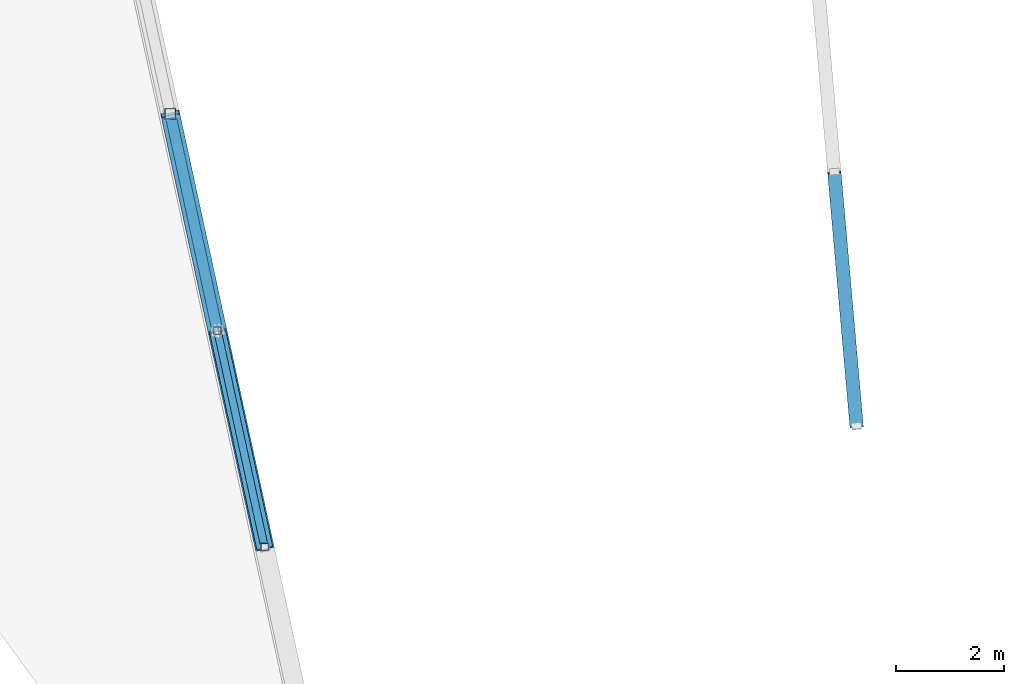
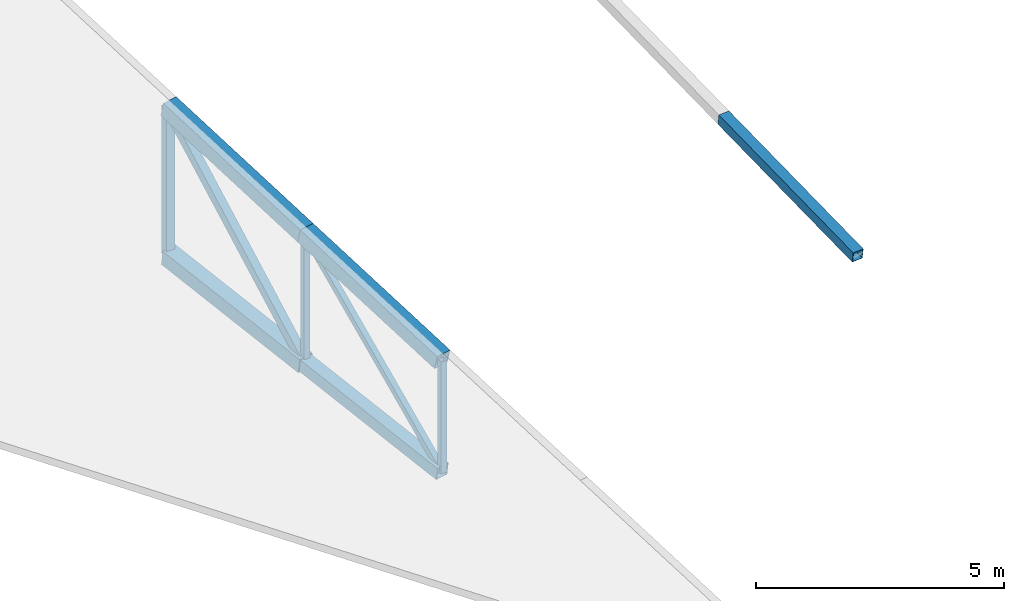
# One storey, part 72 of 188: 10 members.
"""IFC4 building model written with IfcOpenShell, lengths in metres."""

from ifc_helpers import new_model, si_unit, direction, frame, origin, origin_2d, place, context, subcontext, project, spatial, hollow_rectangle, extrude, material, material_profile, profile_set, type_object, element, save


model = new_model("IFC4")

# Units and contexts
model_context = context("Model", 3, precision=1e-05, world=origin(), true_north=direction((0.0, 1.0)))
body_context = subcontext(model_context, "Body", "Model", "MODEL_VIEW")
ifc_project = project(units=[si_unit("LENGTHUNIT", "METRE"), si_unit("AREAUNIT", "SQUARE_METRE"), si_unit("VOLUMEUNIT", "CUBIC_METRE"), si_unit("PLANEANGLEUNIT", "RADIAN"), si_unit("MASSUNIT", "GRAM", prefix="KILO")], contexts=[model_context])

# Site, building, storey
site_placement = place(None, origin())
site = spatial("IfcSite", under=ifc_project, at=site_placement, CompositionType="ELEMENT")
building_placement = place(site_placement, origin())
building = spatial("IfcBuilding", under=site, at=building_placement, Name="Meseta Stadium", CompositionType="ELEMENT")
storey_placement = place(building_placement, frame((0.0, 0.0, 30.0)))
storey = spatial("IfcBuildingStorey", under=building, at=storey_placement, Name="ROOF", CompositionType="ELEMENT", Elevation=30.0)

# Members
ifc_material_1 = material(Name="Steel S355", Category="steel")
ifc_material_profile_1 = material_profile(ifc_material_1, hollow_rectangle(XDim=0.139892578125, YDim=0.139892578125, WallThickness=0.0048828125, at=origin_2d()), Name="SHS 140x140x5")
ifc_profile_set_1 = profile_set([ifc_material_profile_1], Name="Steel S355")
member_type_1 = type_object("IfcMemberType", Name="SHS 140x140x5 diagonal", PredefinedType="BRACE", material=ifc_profile_set_1)
member_1_placement = place(storey_placement, frame((-17.008544921875, 77.870361328125, 0.917724609375), z_axis=(-0.157118081499, 0.721838076326, 0.673990875333), x_axis=(-0.97712104234, -0.212683964174, 0.0)))
element("IfcMember", 1, at=member_1_placement, inside=storey, type_object=member_type_1, Name="ROOF TRUSS RT-20 diagonal", PredefinedType="BRACE", context=body_context, shape_type="SweptSolid", body=[
    extrude(hollow_rectangle(XDim=0.139892578125, YDim=0.139892578125, WallThickness=0.0048828125, at=origin_2d()), origin(), (0.0, 0.0, 1.0), 5.556640625),
])
ifc_material_2 = material(Name="Steel S355", Category="steel")
ifc_material_profile_2 = material_profile(ifc_material_2, hollow_rectangle(XDim=0.139892578125, YDim=0.139892578125, WallThickness=0.0048828125, at=origin_2d()), Name="SHS 140x140x5")
ifc_profile_set_2 = profile_set([ifc_material_profile_2], Name="Steel S355")
member_type_2 = type_object("IfcMemberType", Name="SHS 140x140x5 post", PredefinedType="POST", material=ifc_profile_set_2)
member_2_placement = place(storey_placement, frame((-17.008544921875, 77.870361328125, 0.917724609375), z_axis=(0.0, 0.0, 1.0), x_axis=(1.0, 0.0, 0.0)))
element("IfcMember", 2, at=member_2_placement, inside=storey, type_object=member_type_2, Name="ROOF TRUSS RT-20 post", PredefinedType="POST", context=body_context, shape_type="SweptSolid", body=[
    extrude(hollow_rectangle(XDim=0.139892578125, YDim=0.139892578125, WallThickness=0.0048828125, at=origin_2d()), origin(), (0.0, 0.0, 1.0), 2.752685546875),
])
member_3_placement = place(storey_placement, frame((-17.881591796875, 81.88134765625, 1.45947265625), z_axis=(0.0, 0.0, 1.0), x_axis=(1.0, 0.0, 0.0)))
element("IfcMember", 3, at=member_3_placement, inside=storey, type_object=member_type_2, Name="ROOF TRUSS RT-20 post", PredefinedType="POST", context=body_context, shape_type="SweptSolid", body=[
    extrude(hollow_rectangle(XDim=0.139892578125, YDim=0.139892578125, WallThickness=0.0048828125, at=origin_2d()), origin(), (0.0, 0.0, 1.0), 3.203369140625),
])
ifc_material_3 = material(Name="Steel S355", Category="steel")
ifc_material_profile_3 = material_profile(ifc_material_3, hollow_rectangle(XDim=0.199951171875, YDim=0.199951171875, WallThickness=0.008056640625, at=origin_2d()), Name="SHS 200x200x8")
ifc_profile_set_3 = profile_set([ifc_material_profile_3], Name="Steel S355")
member_type_3 = type_object("IfcMemberType", Name="SHS 200x200x8 diagonal", PredefinedType="BRACE", material=ifc_profile_set_3)
member_4_placement = place(storey_placement, frame((-17.881591796875, 81.88134765625, 1.45947265625), z_axis=(-0.148730248613, 0.683343955454, 0.714786927477), x_axis=(-0.977123732443, -0.212671604821, 0.0)))
element("IfcMember", 4, at=member_4_placement, inside=storey, type_object=member_type_3, Name="ROOF TRUSS RT-20 diagonal", PredefinedType="BRACE", context=body_context, shape_type="SweptSolid", body=[
    extrude(hollow_rectangle(XDim=0.199951171875, YDim=0.199951171875, WallThickness=0.008056640625, at=origin_2d()), origin(), (0.0, 0.0, 1.0), 5.8701171875),
])
ifc_material_4 = material(Name="Steel S355", Category="steel")
ifc_material_profile_4 = material_profile(ifc_material_4, hollow_rectangle(XDim=0.199951171875, YDim=0.199951171875, WallThickness=0.008056640625, at=origin_2d()), Name="SHS 200x200x8")
ifc_profile_set_4 = profile_set([ifc_material_profile_4], Name="Steel S355")
member_type_4 = type_object("IfcMemberType", Name="SHS 200x200x8 post", PredefinedType="POST", material=ifc_profile_set_4)
member_5_placement = place(storey_placement, frame((-18.754638671875, 85.892578125, 2.0009765625), z_axis=(0.0, 0.0, 1.0), x_axis=(1.0, 0.0, 0.0)))
element("IfcMember", 5, at=member_5_placement, inside=storey, type_object=member_type_4, Name="ROOF TRUSS RT-20 post", PredefinedType="POST", context=body_context, shape_type="SweptSolid", body=[
    extrude(hollow_rectangle(XDim=0.199951171875, YDim=0.199951171875, WallThickness=0.008056640625, at=origin_2d()), origin(), (0.0, 0.0, 1.0), 3.654296875),
])
ifc_material_5 = material(Name="Steel S355", Category="steel")
ifc_material_profile_5 = material_profile(ifc_material_5, hollow_rectangle(XDim=0.25, YDim=0.25, WallThickness=0.010009765625, at=origin_2d()), Name="SHS 250x250x10")
ifc_profile_set_5 = profile_set([ifc_material_profile_5], Name="Steel S355")
member_type_5 = type_object("IfcMemberType", Name="SHS 250x250x10 top chord", PredefinedType="CHORD", material=ifc_profile_set_5)
member_6_placement = place(storey_placement, frame((-6.045654296875, 80.103271484375, 1.03564453125), z_axis=(-0.086403995476, 0.985772447789, 0.144177081208), x_axis=(-0.996180639476, -0.087316284462, 0.0)))
element("IfcMember", 6, at=member_6_placement, inside=storey, type_object=member_type_5, Name="ROOF TRUSS RT-19 top chord", PredefinedType="CHORD", context=body_context, shape_type="SweptSolid", body=[
    extrude(hollow_rectangle(XDim=0.25, YDim=0.25, WallThickness=0.010009765625, at=origin_2d()), origin(), (0.0, 0.0, 1.0), 4.775146484375),
])
ifc_material_6 = material(Name="Steel S355", Category="steel")
ifc_material_profile_6 = material_profile(ifc_material_6, hollow_rectangle(XDim=0.300048828125, YDim=0.300048828125, WallThickness=0.010009765625, at=origin_2d()), Name="SHS 300x300x10")
ifc_profile_set_6 = profile_set([ifc_material_profile_6], Name="Steel S355")
member_type_6 = type_object("IfcMemberType", Name="SHS 300x300x10 bottom chord", PredefinedType="CHORD", material=ifc_profile_set_6)
member_7_placement = place(storey_placement, frame((-17.008544921875, 77.870361328125, 0.917724609375), z_axis=(-0.210855588911, 0.968721048718, 0.130841317616), x_axis=(-0.97712104234, -0.212683964174, 0.0)))
element("IfcMember", 7, at=member_7_placement, inside=storey, type_object=member_type_6, Name="ROOF TRUSS RT-20 bottom chord", PredefinedType="CHORD", context=body_context, shape_type="SweptSolid", body=[
    extrude(hollow_rectangle(XDim=0.300048828125, YDim=0.300048828125, WallThickness=0.010009765625, at=origin_2d()), origin(), (0.0, 0.0, 1.0), 4.140380859375),
])
ifc_material_7 = material(Name="Steel S355", Category="steel")
ifc_material_profile_7 = material_profile(ifc_material_7, hollow_rectangle(XDim=0.35009765625, YDim=0.35009765625, WallThickness=0.010009765625, at=origin_2d()), Name="SHS 350x350x10")
ifc_profile_set_7 = profile_set([ifc_material_profile_7], Name="Steel S355")
member_type_7 = type_object("IfcMemberType", Name="SHS 350x350x10 top chord", PredefinedType="CHORD", material=ifc_profile_set_7)
member_8_placement = place(storey_placement, frame((-17.008544921875, 77.870361328125, 3.67041015625), z_axis=(-0.206727983086, 0.949757839519, 0.234996994196), x_axis=(-0.97712104234, -0.212683964174, 0.0)))
element("IfcMember", 8, at=member_8_placement, inside=storey, type_object=member_type_7, Name="ROOF TRUSS RT-20 top chord", PredefinedType="CHORD", context=body_context, shape_type="SweptSolid", body=[
    extrude(hollow_rectangle(XDim=0.35009765625, YDim=0.35009765625, WallThickness=0.010009765625, at=origin_2d()), origin(), (0.0, 0.0, 1.0), 4.22314453125),
])
member_9_placement = place(storey_placement, frame((-17.881591796875, 81.88134765625, 4.662841796875), z_axis=(-0.206716633204, 0.949763502107, 0.234984092274), x_axis=(-0.977123732443, -0.212671604821, 0.0)))
element("IfcMember", 9, at=member_9_placement, inside=storey, type_object=member_type_7, Name="ROOF TRUSS RT-20 top chord", PredefinedType="CHORD", context=body_context, shape_type="SweptSolid", body=[
    extrude(hollow_rectangle(XDim=0.35009765625, YDim=0.35009765625, WallThickness=0.010009765625, at=origin_2d()), origin(), (0.0, 0.0, 1.0), 4.223388671875),
])
ifc_material_8 = material(Name="Steel S355", Category="steel")
ifc_material_profile_8 = material_profile(ifc_material_8, hollow_rectangle(XDim=0.35009765625, YDim=0.35009765625, WallThickness=0.01416015625, at=origin_2d()), Name="SHS 350x350x14.2")
ifc_profile_set_8 = profile_set([ifc_material_profile_8], Name="Steel S355")
member_type_8 = type_object("IfcMemberType", Name="SHS 350x350x14.2 bottom chord", PredefinedType="CHORD", material=ifc_profile_set_8)
member_10_placement = place(storey_placement, frame((-17.881591796875, 81.88134765625, 1.45947265625), z_axis=(-0.210845171668, 0.968732150589, 0.130775892271), x_axis=(-0.977123732443, -0.212671604821, 0.0)))
element("IfcMember", 10, at=member_10_placement, inside=storey, type_object=member_type_8, Name="ROOF TRUSS RT-20 bottom chord", PredefinedType="CHORD", context=body_context, shape_type="SweptSolid", body=[
    extrude(hollow_rectangle(XDim=0.35009765625, YDim=0.35009765625, WallThickness=0.01416015625, at=origin_2d()), origin(), (0.0, 0.0, 1.0), 4.140625),
])

save(model, "model.ifc")
